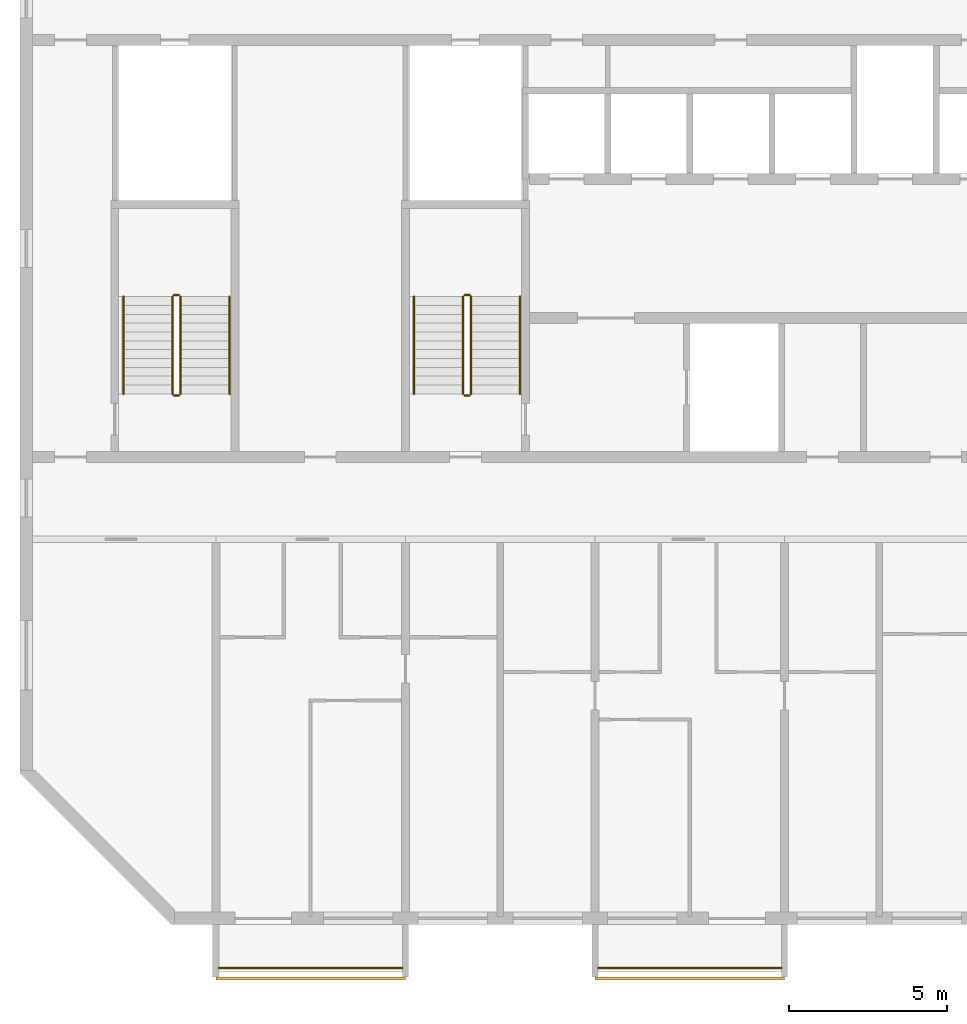
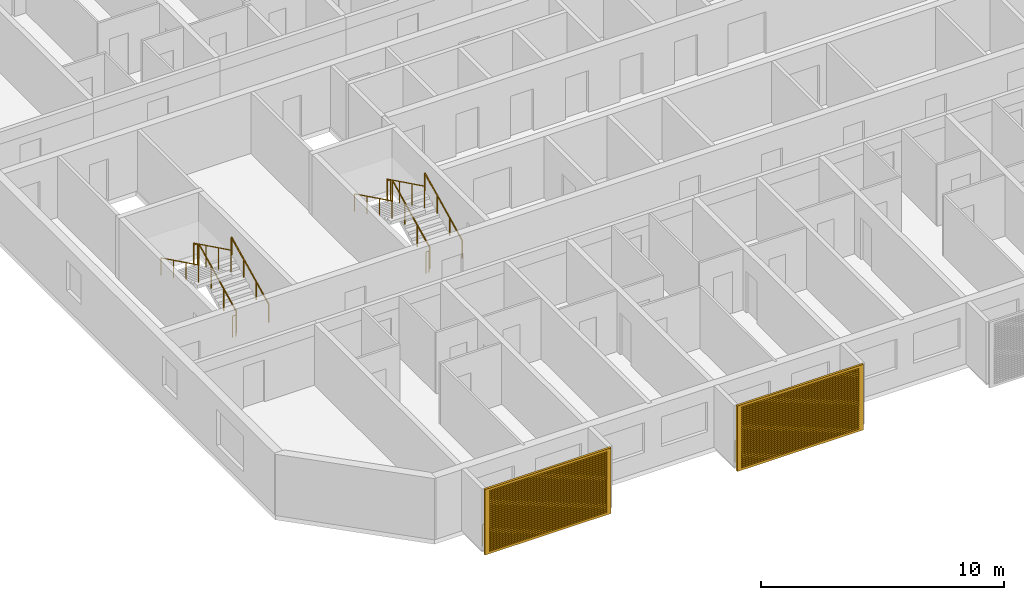
# One storey, part 13 of 29: 14 railings, 2 shading devices.
"""IFC4 building model written with IfcOpenShell, lengths in metres."""

from ifc_helpers import new_model, si_unit, direction, frame, origin, origin_2d, place, context, subcontext, project, spatial, polyline, circle, outline, extrude, source, transform, mapped, material, material_profile, profile_set, type_object, element, save


model = new_model("IFC4")

# Units and contexts
model_context = context("Model", 3, precision=1e-05, world=origin(), true_north=direction((0.0, 1.0)))
body_context = subcontext(model_context, "Body", "Model", "MODEL_VIEW")
ifc_project = project(units=[si_unit("LENGTHUNIT", "METRE"), si_unit("AREAUNIT", "SQUARE_METRE"), si_unit("VOLUMEUNIT", "CUBIC_METRE"), si_unit("PLANEANGLEUNIT", "RADIAN"), si_unit("MASSUNIT", "GRAM", prefix="KILO")], contexts=[model_context])

# Site, building, storey
site_placement = place(None, origin())
site = spatial("IfcSite", under=ifc_project, at=site_placement, CompositionType="ELEMENT")
building_placement = place(site_placement, origin())
building = spatial("IfcBuilding", under=site, at=building_placement, Name="Poui Terraces", CompositionType="ELEMENT")
storey_placement = place(building_placement, frame((0.0, 0.0, 234.60009765625)))
storey = spatial("IfcBuildingStorey", under=building, at=storey_placement, Name="L65", CompositionType="ELEMENT", Elevation=234.60009765625)

# Railings
ifc_material_1 = material(Name="Painted steel fretwork", Category="steel")
railing_type_1 = type_object("IfcRailingType", Name="BALCONY GUARD 1100", PredefinedType="GUARDRAIL", material=ifc_material_1)
for number, where, name in (
    (1, (24.10009765625, -1.570068359375, 0.0), "BALCONY GUARD"),
    (2, (36.10009765625, -1.570068359375, 0.0), "BALCONY GUARD"),
):
    element("IfcRailing", number, at=place(storey_placement, frame(where)), inside=storey, type_object=railing_type_1, Name=name, PredefinedType="GUARDRAIL", context=body_context, shape_type="SweptSolid", body=[
        extrude(circle(Radius=0.02392578125, at=origin_2d()), frame((0.0, 0.0, 1.076171875), z_axis=(1.0, 0.0, 0.0), x_axis=(0.0, 1.0, 0.0)), (0.0, 0.0, 1.0), 5.7998046875),
        extrude(circle(Radius=0.02099609375, at=origin_2d()), origin(), (0.0, 0.0, 1.0), 1.052001953125),
        extrude(circle(Radius=0.02099609375, at=origin_2d()), frame((0.966552734375, 0.0, 0.0)), (0.0, 0.0, 1.0), 1.052001953125),
        extrude(circle(Radius=0.02099609375, at=origin_2d()), frame((1.933349609375, 0.0, 0.0)), (0.0, 0.0, 1.0), 1.052001953125),
        extrude(circle(Radius=0.02099609375, at=origin_2d()), frame((2.89990234375, 0.0, 0.0)), (0.0, 0.0, 1.0), 1.052001953125),
        extrude(circle(Radius=0.02099609375, at=origin_2d()), frame((3.866455078125, 0.0, 0.0)), (0.0, 0.0, 1.0), 1.052001953125),
        extrude(circle(Radius=0.02099609375, at=origin_2d()), frame((4.833251953125, 0.0, 0.0)), (0.0, 0.0, 1.0), 1.052001953125),
        extrude(circle(Radius=0.02099609375, at=origin_2d()), frame((5.7998046875, 0.0, 0.0)), (0.0, 0.0, 1.0), 1.052001953125),
    ])
ifc_material_2 = material(Name="Galvanised steel balustrade", Category="steel")
railing_type_2 = type_object("IfcRailingType", Name="STAIR GUARD 1100", PredefinedType="GUARDRAIL", material=ifc_material_2)
railing_1_placement = place(storey_placement, frame((32.074951171875, 16.60009765625, 0.137451171875)))
element("IfcRailing", 3, at=railing_1_placement, inside=storey, type_object=railing_type_2, Name="L65 ST-CW stair guard 1", PredefinedType="GUARDRAIL", context=body_context, shape_type="SweptSolid", body=[
    extrude(circle(Radius=0.02392578125, at=origin_2d()), frame((0.0, 0.0, 1.076171875), z_axis=(0.0, 0.897606190399, 0.440798283751), x_axis=(-1.0, 0.0, 0.0)), (0.0, 0.0, 1.0), 3.43115234375),
    extrude(circle(Radius=0.02099609375, at=origin_2d()), origin(), (0.0, 0.0, 1.0), 1.052001953125),
    extrude(circle(Radius=0.02099609375, at=origin_2d()), frame((0.0, 1.026611328125, 0.504150390625)), (0.0, 0.0, 1.0), 1.052001953125),
    extrude(circle(Radius=0.02099609375, at=origin_2d()), frame((0.0, 2.05322265625, 1.00830078125)), (0.0, 0.0, 1.0), 1.052001953125),
    extrude(circle(Radius=0.02099609375, at=origin_2d()), frame((0.0, 3.079833984375, 1.512451171875)), (0.0, 0.0, 1.0), 1.052001953125),
])
railing_2_placement = place(storey_placement, frame((32.02490234375, 19.72998046875, 1.64990234375)))
element("IfcRailing", 4, at=railing_2_placement, inside=storey, type_object=railing_type_2, Name="L65 ST-CW stair guard 2", PredefinedType="GUARDRAIL", context=body_context, shape_type="SweptSolid", body=[
    extrude(circle(Radius=0.02392578125, at=origin_2d()), frame((0.0, 0.0, 1.076171875), z_axis=(-1.0, 0.0, 0.0), x_axis=(0.0, -1.0, 0.0)), (0.0, 0.0, 1.0), 0.14990234375),
    extrude(circle(Radius=0.02099609375, at=origin_2d()), origin(), (0.0, 0.0, 1.0), 1.052001953125),
    extrude(circle(Radius=0.02099609375, at=origin_2d()), frame((-0.14990234375, 0.0, 0.0)), (0.0, 0.0, 1.0), 1.052001953125),
])
railing_3_placement = place(storey_placement, frame((31.824951171875, 19.679931640625, 1.787353515625)))
element("IfcRailing", 5, at=railing_3_placement, inside=storey, type_object=railing_type_2, Name="L65 ST-CW stair guard 3", PredefinedType="GUARDRAIL", context=body_context, shape_type="SweptSolid", body=[
    extrude(circle(Radius=0.02392578125, at=origin_2d()), frame((0.0, 0.0, 1.076171875), z_axis=(0.0, -0.897606190399, 0.440798283751), x_axis=(1.0, 0.0, 0.0)), (0.0, 0.0, 1.0), 3.43115234375),
    extrude(circle(Radius=0.02099609375, at=origin_2d()), origin(), (0.0, 0.0, 1.0), 1.052001953125),
    extrude(circle(Radius=0.02099609375, at=origin_2d()), frame((0.0, -1.026611328125, 0.504150390625)), (0.0, 0.0, 1.0), 1.052001953125),
    extrude(circle(Radius=0.02099609375, at=origin_2d()), frame((0.0, -2.05322265625, 1.00830078125)), (0.0, 0.0, 1.0), 1.052001953125),
    extrude(circle(Radius=0.02099609375, at=origin_2d()), frame((0.0, -3.079833984375, 1.512451171875)), (0.0, 0.0, 1.0), 1.052001953125),
])
railing_4_placement = place(storey_placement, frame((32.02490234375, 16.550048828125, 0.0)))
element("IfcRailing", 6, at=railing_4_placement, inside=storey, type_object=railing_type_2, Name="L65 ST-CW stair guard 4", PredefinedType="GUARDRAIL", context=body_context, shape_type="SweptSolid", body=[
    extrude(circle(Radius=0.02392578125, at=origin_2d()), frame((0.0, 0.0, 1.076171875), z_axis=(-1.0, 0.0, 0.0), x_axis=(0.0, -1.0, 0.0)), (0.0, 0.0, 1.0), 0.14990234375),
    extrude(circle(Radius=0.02099609375, at=origin_2d()), origin(), (0.0, 0.0, 1.0), 1.052001953125),
    extrude(circle(Radius=0.02099609375, at=origin_2d()), frame((-0.14990234375, 0.0, 0.0)), (0.0, 0.0, 1.0), 1.052001953125),
])
railing_5_placement = place(storey_placement, frame((22.875, 16.60009765625, 0.137451171875)))
element("IfcRailing", 7, at=railing_5_placement, inside=storey, type_object=railing_type_2, Name="L65 ST-W stair guard 1", PredefinedType="GUARDRAIL", context=body_context, shape_type="SweptSolid", body=[
    extrude(circle(Radius=0.02392578125, at=origin_2d()), frame((0.0, 0.0, 1.076171875), z_axis=(0.0, 0.897606190399, 0.440798283751), x_axis=(-1.0, 0.0, 0.0)), (0.0, 0.0, 1.0), 3.43115234375),
    extrude(circle(Radius=0.02099609375, at=origin_2d()), origin(), (0.0, 0.0, 1.0), 1.052001953125),
    extrude(circle(Radius=0.02099609375, at=origin_2d()), frame((0.0, 1.026611328125, 0.504150390625)), (0.0, 0.0, 1.0), 1.052001953125),
    extrude(circle(Radius=0.02099609375, at=origin_2d()), frame((0.0, 2.05322265625, 1.00830078125)), (0.0, 0.0, 1.0), 1.052001953125),
    extrude(circle(Radius=0.02099609375, at=origin_2d()), frame((0.0, 3.079833984375, 1.512451171875)), (0.0, 0.0, 1.0), 1.052001953125),
])
railing_6_placement = place(storey_placement, frame((22.824951171875, 19.72998046875, 1.64990234375)))
element("IfcRailing", 8, at=railing_6_placement, inside=storey, type_object=railing_type_2, Name="L65 ST-W stair guard 2", PredefinedType="GUARDRAIL", context=body_context, shape_type="SweptSolid", body=[
    extrude(circle(Radius=0.02392578125, at=origin_2d()), frame((0.0, 0.0, 1.076171875), z_axis=(-1.0, 0.0, 0.0), x_axis=(0.0, -1.0, 0.0)), (0.0, 0.0, 1.0), 0.14990234375),
    extrude(circle(Radius=0.02099609375, at=origin_2d()), origin(), (0.0, 0.0, 1.0), 1.052001953125),
    extrude(circle(Radius=0.02099609375, at=origin_2d()), frame((-0.14990234375, 0.0, 0.0)), (0.0, 0.0, 1.0), 1.052001953125),
])
railing_7_placement = place(storey_placement, frame((22.625, 19.679931640625, 1.787353515625)))
element("IfcRailing", 9, at=railing_7_placement, inside=storey, type_object=railing_type_2, Name="L65 ST-W stair guard 3", PredefinedType="GUARDRAIL", context=body_context, shape_type="SweptSolid", body=[
    extrude(circle(Radius=0.02392578125, at=origin_2d()), frame((0.0, 0.0, 1.076171875), z_axis=(0.0, -0.897606190399, 0.440798283751), x_axis=(1.0, 0.0, 0.0)), (0.0, 0.0, 1.0), 3.43115234375),
    extrude(circle(Radius=0.02099609375, at=origin_2d()), origin(), (0.0, 0.0, 1.0), 1.052001953125),
    extrude(circle(Radius=0.02099609375, at=origin_2d()), frame((0.0, -1.026611328125, 0.504150390625)), (0.0, 0.0, 1.0), 1.052001953125),
    extrude(circle(Radius=0.02099609375, at=origin_2d()), frame((0.0, -2.05322265625, 1.00830078125)), (0.0, 0.0, 1.0), 1.052001953125),
    extrude(circle(Radius=0.02099609375, at=origin_2d()), frame((0.0, -3.079833984375, 1.512451171875)), (0.0, 0.0, 1.0), 1.052001953125),
])
railing_8_placement = place(storey_placement, frame((22.824951171875, 16.550048828125, 0.0)))
element("IfcRailing", 10, at=railing_8_placement, inside=storey, type_object=railing_type_2, Name="L65 ST-W stair guard 4", PredefinedType="GUARDRAIL", context=body_context, shape_type="SweptSolid", body=[
    extrude(circle(Radius=0.02392578125, at=origin_2d()), frame((0.0, 0.0, 1.076171875), z_axis=(-1.0, 0.0, 0.0), x_axis=(0.0, -1.0, 0.0)), (0.0, 0.0, 1.0), 0.14990234375),
    extrude(circle(Radius=0.02099609375, at=origin_2d()), origin(), (0.0, 0.0, 1.0), 1.052001953125),
    extrude(circle(Radius=0.02099609375, at=origin_2d()), frame((-0.14990234375, 0.0, 0.0)), (0.0, 0.0, 1.0), 1.052001953125),
])
ifc_material_3 = material(Name="Stainless steel handrail", Category="steel")
railing_type_3 = type_object("IfcRailingType", Name="STAIR HANDRAIL 900", PredefinedType="HANDRAIL", material=ifc_material_3)
railing_9_placement = place(storey_placement, frame((33.625, 16.60009765625, 0.137451171875)))
element("IfcRailing", 11, at=railing_9_placement, inside=storey, type_object=railing_type_3, Name="L65 ST-CW stair handrail 1", PredefinedType="HANDRAIL", context=body_context, shape_type="SweptSolid", body=[
    extrude(circle(Radius=0.02392578125, at=origin_2d()), frame((0.0, 0.0, 0.8759765625), z_axis=(0.0, 0.897606190399, 0.440798283751), x_axis=(-1.0, 0.0, 0.0)), (0.0, 0.0, 1.0), 3.43115234375),
    extrude(circle(Radius=0.02099609375, at=origin_2d()), origin(), (0.0, 0.0, 1.0), 0.851806640625),
    extrude(circle(Radius=0.02099609375, at=origin_2d()), frame((0.0, 1.026611328125, 0.504150390625)), (0.0, 0.0, 1.0), 0.851806640625),
    extrude(circle(Radius=0.02099609375, at=origin_2d()), frame((0.0, 2.05322265625, 1.00830078125)), (0.0, 0.0, 1.0), 0.851806640625),
    extrude(circle(Radius=0.02099609375, at=origin_2d()), frame((0.0, 3.079833984375, 1.512451171875)), (0.0, 0.0, 1.0), 0.851806640625),
])
railing_10_placement = place(storey_placement, frame((30.27490234375, 19.679931640625, 1.787353515625)))
element("IfcRailing", 12, at=railing_10_placement, inside=storey, type_object=railing_type_3, Name="L65 ST-CW stair handrail 2", PredefinedType="HANDRAIL", context=body_context, shape_type="SweptSolid", body=[
    extrude(circle(Radius=0.02392578125, at=origin_2d()), frame((0.0, 0.0, 0.8759765625), z_axis=(0.0, -0.897606190399, 0.440798283751), x_axis=(1.0, 0.0, 0.0)), (0.0, 0.0, 1.0), 3.43115234375),
    extrude(circle(Radius=0.02099609375, at=origin_2d()), origin(), (0.0, 0.0, 1.0), 0.851806640625),
    extrude(circle(Radius=0.02099609375, at=origin_2d()), frame((0.0, -1.026611328125, 0.504150390625)), (0.0, 0.0, 1.0), 0.851806640625),
    extrude(circle(Radius=0.02099609375, at=origin_2d()), frame((0.0, -2.05322265625, 1.00830078125)), (0.0, 0.0, 1.0), 0.851806640625),
    extrude(circle(Radius=0.02099609375, at=origin_2d()), frame((0.0, -3.079833984375, 1.512451171875)), (0.0, 0.0, 1.0), 0.851806640625),
])
railing_11_placement = place(storey_placement, frame((24.425048828125, 16.60009765625, 0.137451171875)))
element("IfcRailing", 13, at=railing_11_placement, inside=storey, type_object=railing_type_3, Name="L65 ST-W stair handrail 1", PredefinedType="HANDRAIL", context=body_context, shape_type="SweptSolid", body=[
    extrude(circle(Radius=0.02392578125, at=origin_2d()), frame((0.0, 0.0, 0.8759765625), z_axis=(0.0, 0.897606190399, 0.440798283751), x_axis=(-1.0, 0.0, 0.0)), (0.0, 0.0, 1.0), 3.43115234375),
    extrude(circle(Radius=0.02099609375, at=origin_2d()), origin(), (0.0, 0.0, 1.0), 0.851806640625),
    extrude(circle(Radius=0.02099609375, at=origin_2d()), frame((0.0, 1.026611328125, 0.504150390625)), (0.0, 0.0, 1.0), 0.851806640625),
    extrude(circle(Radius=0.02099609375, at=origin_2d()), frame((0.0, 2.05322265625, 1.00830078125)), (0.0, 0.0, 1.0), 0.851806640625),
    extrude(circle(Radius=0.02099609375, at=origin_2d()), frame((0.0, 3.079833984375, 1.512451171875)), (0.0, 0.0, 1.0), 0.851806640625),
])
railing_12_placement = place(storey_placement, frame((21.074951171875, 19.679931640625, 1.787353515625)))
element("IfcRailing", 14, at=railing_12_placement, inside=storey, type_object=railing_type_3, Name="L65 ST-W stair handrail 2", PredefinedType="HANDRAIL", context=body_context, shape_type="SweptSolid", body=[
    extrude(circle(Radius=0.02392578125, at=origin_2d()), frame((0.0, 0.0, 0.8759765625), z_axis=(0.0, -0.897606190399, 0.440798283751), x_axis=(1.0, 0.0, 0.0)), (0.0, 0.0, 1.0), 3.43115234375),
    extrude(circle(Radius=0.02099609375, at=origin_2d()), origin(), (0.0, 0.0, 1.0), 0.851806640625),
    extrude(circle(Radius=0.02099609375, at=origin_2d()), frame((0.0, -1.026611328125, 0.504150390625)), (0.0, 0.0, 1.0), 0.851806640625),
    extrude(circle(Radius=0.02099609375, at=origin_2d()), frame((0.0, -2.05322265625, 1.00830078125)), (0.0, 0.0, 1.0), 0.851806640625),
    extrude(circle(Radius=0.02099609375, at=origin_2d()), frame((0.0, -3.079833984375, 1.512451171875)), (0.0, 0.0, 1.0), 0.851806640625),
])

# Shading devices
ifc_material_4 = material(Name="Aluminium louvre", Category="aluminium")
ifc_material_profile = material_profile(ifc_material_4, outline(polyline([(-3.0, -1.64990234375), (3.0, -1.64990234375), (3.0, 1.64990234375), (-3.0, 1.64990234375), (-3.0, -1.64990234375)]), holes=[polyline([(-2.800048828125, -1.530029296875), (2.800048828125, -1.530029296875), (2.800048828125, -1.469970703125), (-2.800048828125, -1.469970703125), (-2.800048828125, -1.530029296875)]), polyline([(-2.800048828125, -1.429931640625), (2.800048828125, -1.429931640625), (2.800048828125, -1.3701171875), (-2.800048828125, -1.3701171875), (-2.800048828125, -1.429931640625)]), polyline([(-2.800048828125, -1.330078125), (2.800048828125, -1.330078125), (2.800048828125, -1.27001953125), (-2.800048828125, -1.27001953125), (-2.800048828125, -1.330078125)]), polyline([(-2.800048828125, -1.22998046875), (2.800048828125, -1.22998046875), (2.800048828125, -1.169921875), (-2.800048828125, -1.169921875), (-2.800048828125, -1.22998046875)]), polyline([(-2.800048828125, -1.1298828125), (2.800048828125, -1.1298828125), (2.800048828125, -1.070068359375), (-2.800048828125, -1.070068359375), (-2.800048828125, -1.1298828125)]), polyline([(-2.800048828125, -1.030029296875), (2.800048828125, -1.030029296875), (2.800048828125, -0.969970703125), (-2.800048828125, -0.969970703125), (-2.800048828125, -1.030029296875)]), polyline([(-2.800048828125, -0.929931640625), (2.800048828125, -0.929931640625), (2.800048828125, -0.8701171875), (-2.800048828125, -0.8701171875), (-2.800048828125, -0.929931640625)]), polyline([(-2.800048828125, -0.830078125), (2.800048828125, -0.830078125), (2.800048828125, -0.77001953125), (-2.800048828125, -0.77001953125), (-2.800048828125, -0.830078125)]), polyline([(-2.800048828125, -0.72998046875), (2.800048828125, -0.72998046875), (2.800048828125, -0.669921875), (-2.800048828125, -0.669921875), (-2.800048828125, -0.72998046875)]), polyline([(-2.800048828125, -0.6298828125), (2.800048828125, -0.6298828125), (2.800048828125, -0.570068359375), (-2.800048828125, -0.570068359375), (-2.800048828125, -0.6298828125)]), polyline([(-2.800048828125, -0.530029296875), (2.800048828125, -0.530029296875), (2.800048828125, -0.469970703125), (-2.800048828125, -0.469970703125), (-2.800048828125, -0.530029296875)]), polyline([(-2.800048828125, -0.429931640625), (2.800048828125, -0.429931640625), (2.800048828125, -0.3701171875), (-2.800048828125, -0.3701171875), (-2.800048828125, -0.429931640625)]), polyline([(-2.800048828125, -0.330078125), (2.800048828125, -0.330078125), (2.800048828125, -0.27001953125), (-2.800048828125, -0.27001953125), (-2.800048828125, -0.330078125)]), polyline([(-2.800048828125, -0.22998046875), (2.800048828125, -0.22998046875), (2.800048828125, -0.169921875), (-2.800048828125, -0.169921875), (-2.800048828125, -0.22998046875)]), polyline([(-2.800048828125, -0.1298828125), (2.800048828125, -0.1298828125), (2.800048828125, -0.070068359375), (-2.800048828125, -0.070068359375), (-2.800048828125, -0.1298828125)]), polyline([(-2.800048828125, -0.030029296875), (2.800048828125, -0.030029296875), (2.800048828125, 0.030029296875), (-2.800048828125, 0.030029296875), (-2.800048828125, -0.030029296875)]), polyline([(-2.800048828125, 0.070068359375), (2.800048828125, 0.070068359375), (2.800048828125, 0.1298828125), (-2.800048828125, 0.1298828125), (-2.800048828125, 0.070068359375)]), polyline([(-2.800048828125, 0.169921875), (2.800048828125, 0.169921875), (2.800048828125, 0.22998046875), (-2.800048828125, 0.22998046875), (-2.800048828125, 0.169921875)]), polyline([(-2.800048828125, 0.27001953125), (2.800048828125, 0.27001953125), (2.800048828125, 0.330078125), (-2.800048828125, 0.330078125), (-2.800048828125, 0.27001953125)]), polyline([(-2.800048828125, 0.3701171875), (2.800048828125, 0.3701171875), (2.800048828125, 0.429931640625), (-2.800048828125, 0.429931640625), (-2.800048828125, 0.3701171875)]), polyline([(-2.800048828125, 0.469970703125), (2.800048828125, 0.469970703125), (2.800048828125, 0.530029296875), (-2.800048828125, 0.530029296875), (-2.800048828125, 0.469970703125)]), polyline([(-2.800048828125, 0.570068359375), (2.800048828125, 0.570068359375), (2.800048828125, 0.6298828125), (-2.800048828125, 0.6298828125), (-2.800048828125, 0.570068359375)]), polyline([(-2.800048828125, 0.669921875), (2.800048828125, 0.669921875), (2.800048828125, 0.72998046875), (-2.800048828125, 0.72998046875), (-2.800048828125, 0.669921875)]), polyline([(-2.800048828125, 0.77001953125), (2.800048828125, 0.77001953125), (2.800048828125, 0.830078125), (-2.800048828125, 0.830078125), (-2.800048828125, 0.77001953125)]), polyline([(-2.800048828125, 0.8701171875), (2.800048828125, 0.8701171875), (2.800048828125, 0.929931640625), (-2.800048828125, 0.929931640625), (-2.800048828125, 0.8701171875)]), polyline([(-2.800048828125, 0.969970703125), (2.800048828125, 0.969970703125), (2.800048828125, 1.030029296875), (-2.800048828125, 1.030029296875), (-2.800048828125, 0.969970703125)]), polyline([(-2.800048828125, 1.070068359375), (2.800048828125, 1.070068359375), (2.800048828125, 1.1298828125), (-2.800048828125, 1.1298828125), (-2.800048828125, 1.070068359375)]), polyline([(-2.800048828125, 1.169921875), (2.800048828125, 1.169921875), (2.800048828125, 1.22998046875), (-2.800048828125, 1.22998046875), (-2.800048828125, 1.169921875)]), polyline([(-2.800048828125, 1.27001953125), (2.800048828125, 1.27001953125), (2.800048828125, 1.330078125), (-2.800048828125, 1.330078125), (-2.800048828125, 1.27001953125)]), polyline([(-2.800048828125, 1.3701171875), (2.800048828125, 1.3701171875), (2.800048828125, 1.429931640625), (-2.800048828125, 1.429931640625), (-2.800048828125, 1.3701171875)]), polyline([(-2.800048828125, 1.469970703125), (2.800048828125, 1.469970703125), (2.800048828125, 1.530029296875), (-2.800048828125, 1.530029296875), (-2.800048828125, 1.469970703125)])]), Name="JALOUSIE LOUVRE SHUTTER 6000X3300")
ifc_profile_set = profile_set([ifc_material_profile], Name="Aluminium louvre")
shading_device_type = type_object("IfcShadingDeviceType", Name="JALOUSIE LOUVRE SHUTTER 6000X3300", PredefinedType="JALOUSIE", material=ifc_profile_set)
shared_shape = source(origin(), body_context, "Body", "SweptSolid", [
    extrude(outline(polyline([(-3.0, -1.64990234375), (3.0, -1.64990234375), (3.0, 1.64990234375), (-3.0, 1.64990234375), (-3.0, -1.64990234375)]), holes=[polyline([(-2.800048828125, -1.530029296875), (2.800048828125, -1.530029296875), (2.800048828125, -1.469970703125), (-2.800048828125, -1.469970703125), (-2.800048828125, -1.530029296875)]), polyline([(-2.800048828125, -1.429931640625), (2.800048828125, -1.429931640625), (2.800048828125, -1.3701171875), (-2.800048828125, -1.3701171875), (-2.800048828125, -1.429931640625)]), polyline([(-2.800048828125, -1.330078125), (2.800048828125, -1.330078125), (2.800048828125, -1.27001953125), (-2.800048828125, -1.27001953125), (-2.800048828125, -1.330078125)]), polyline([(-2.800048828125, -1.22998046875), (2.800048828125, -1.22998046875), (2.800048828125, -1.169921875), (-2.800048828125, -1.169921875), (-2.800048828125, -1.22998046875)]), polyline([(-2.800048828125, -1.1298828125), (2.800048828125, -1.1298828125), (2.800048828125, -1.070068359375), (-2.800048828125, -1.070068359375), (-2.800048828125, -1.1298828125)]), polyline([(-2.800048828125, -1.030029296875), (2.800048828125, -1.030029296875), (2.800048828125, -0.969970703125), (-2.800048828125, -0.969970703125), (-2.800048828125, -1.030029296875)]), polyline([(-2.800048828125, -0.929931640625), (2.800048828125, -0.929931640625), (2.800048828125, -0.8701171875), (-2.800048828125, -0.8701171875), (-2.800048828125, -0.929931640625)]), polyline([(-2.800048828125, -0.830078125), (2.800048828125, -0.830078125), (2.800048828125, -0.77001953125), (-2.800048828125, -0.77001953125), (-2.800048828125, -0.830078125)]), polyline([(-2.800048828125, -0.72998046875), (2.800048828125, -0.72998046875), (2.800048828125, -0.669921875), (-2.800048828125, -0.669921875), (-2.800048828125, -0.72998046875)]), polyline([(-2.800048828125, -0.6298828125), (2.800048828125, -0.6298828125), (2.800048828125, -0.570068359375), (-2.800048828125, -0.570068359375), (-2.800048828125, -0.6298828125)]), polyline([(-2.800048828125, -0.530029296875), (2.800048828125, -0.530029296875), (2.800048828125, -0.469970703125), (-2.800048828125, -0.469970703125), (-2.800048828125, -0.530029296875)]), polyline([(-2.800048828125, -0.429931640625), (2.800048828125, -0.429931640625), (2.800048828125, -0.3701171875), (-2.800048828125, -0.3701171875), (-2.800048828125, -0.429931640625)]), polyline([(-2.800048828125, -0.330078125), (2.800048828125, -0.330078125), (2.800048828125, -0.27001953125), (-2.800048828125, -0.27001953125), (-2.800048828125, -0.330078125)]), polyline([(-2.800048828125, -0.22998046875), (2.800048828125, -0.22998046875), (2.800048828125, -0.169921875), (-2.800048828125, -0.169921875), (-2.800048828125, -0.22998046875)]), polyline([(-2.800048828125, -0.1298828125), (2.800048828125, -0.1298828125), (2.800048828125, -0.070068359375), (-2.800048828125, -0.070068359375), (-2.800048828125, -0.1298828125)]), polyline([(-2.800048828125, -0.030029296875), (2.800048828125, -0.030029296875), (2.800048828125, 0.030029296875), (-2.800048828125, 0.030029296875), (-2.800048828125, -0.030029296875)]), polyline([(-2.800048828125, 0.070068359375), (2.800048828125, 0.070068359375), (2.800048828125, 0.1298828125), (-2.800048828125, 0.1298828125), (-2.800048828125, 0.070068359375)]), polyline([(-2.800048828125, 0.169921875), (2.800048828125, 0.169921875), (2.800048828125, 0.22998046875), (-2.800048828125, 0.22998046875), (-2.800048828125, 0.169921875)]), polyline([(-2.800048828125, 0.27001953125), (2.800048828125, 0.27001953125), (2.800048828125, 0.330078125), (-2.800048828125, 0.330078125), (-2.800048828125, 0.27001953125)]), polyline([(-2.800048828125, 0.3701171875), (2.800048828125, 0.3701171875), (2.800048828125, 0.429931640625), (-2.800048828125, 0.429931640625), (-2.800048828125, 0.3701171875)]), polyline([(-2.800048828125, 0.469970703125), (2.800048828125, 0.469970703125), (2.800048828125, 0.530029296875), (-2.800048828125, 0.530029296875), (-2.800048828125, 0.469970703125)]), polyline([(-2.800048828125, 0.570068359375), (2.800048828125, 0.570068359375), (2.800048828125, 0.6298828125), (-2.800048828125, 0.6298828125), (-2.800048828125, 0.570068359375)]), polyline([(-2.800048828125, 0.669921875), (2.800048828125, 0.669921875), (2.800048828125, 0.72998046875), (-2.800048828125, 0.72998046875), (-2.800048828125, 0.669921875)]), polyline([(-2.800048828125, 0.77001953125), (2.800048828125, 0.77001953125), (2.800048828125, 0.830078125), (-2.800048828125, 0.830078125), (-2.800048828125, 0.77001953125)]), polyline([(-2.800048828125, 0.8701171875), (2.800048828125, 0.8701171875), (2.800048828125, 0.929931640625), (-2.800048828125, 0.929931640625), (-2.800048828125, 0.8701171875)]), polyline([(-2.800048828125, 0.969970703125), (2.800048828125, 0.969970703125), (2.800048828125, 1.030029296875), (-2.800048828125, 1.030029296875), (-2.800048828125, 0.969970703125)]), polyline([(-2.800048828125, 1.070068359375), (2.800048828125, 1.070068359375), (2.800048828125, 1.1298828125), (-2.800048828125, 1.1298828125), (-2.800048828125, 1.070068359375)]), polyline([(-2.800048828125, 1.169921875), (2.800048828125, 1.169921875), (2.800048828125, 1.22998046875), (-2.800048828125, 1.22998046875), (-2.800048828125, 1.169921875)]), polyline([(-2.800048828125, 1.27001953125), (2.800048828125, 1.27001953125), (2.800048828125, 1.330078125), (-2.800048828125, 1.330078125), (-2.800048828125, 1.27001953125)]), polyline([(-2.800048828125, 1.3701171875), (2.800048828125, 1.3701171875), (2.800048828125, 1.429931640625), (-2.800048828125, 1.429931640625), (-2.800048828125, 1.3701171875)]), polyline([(-2.800048828125, 1.469970703125), (2.800048828125, 1.469970703125), (2.800048828125, 1.530029296875), (-2.800048828125, 1.530029296875), (-2.800048828125, 1.469970703125)])]), origin(), (0.0, 0.0, 1.0), 0.099853515625),
])
for number, where, z_axis, x_axis, name in (
    (15, (27.0, -1.85009765625, 1.449951171875), (0.0, -1.0, 0.0), (1.0, 0.0, 0.0), "JALOUSIE LOUVRE SHUTTER"),
    (16, (39.0, -1.85009765625, 1.449951171875), (0.0, -1.0, 0.0), (1.0, 0.0, 0.0), "JALOUSIE LOUVRE SHUTTER"),
):
    element("IfcShadingDevice", number, at=place(storey_placement, frame(where, z_axis=z_axis, x_axis=x_axis)), inside=storey, type_object=shading_device_type, Name=name, PredefinedType="JALOUSIE", context=body_context, shape_type="MappedRepresentation", body=[
        mapped(shared_shape, transform((0.0, 0.0, 0.0))),
    ])

save(model, "model.ifc")
